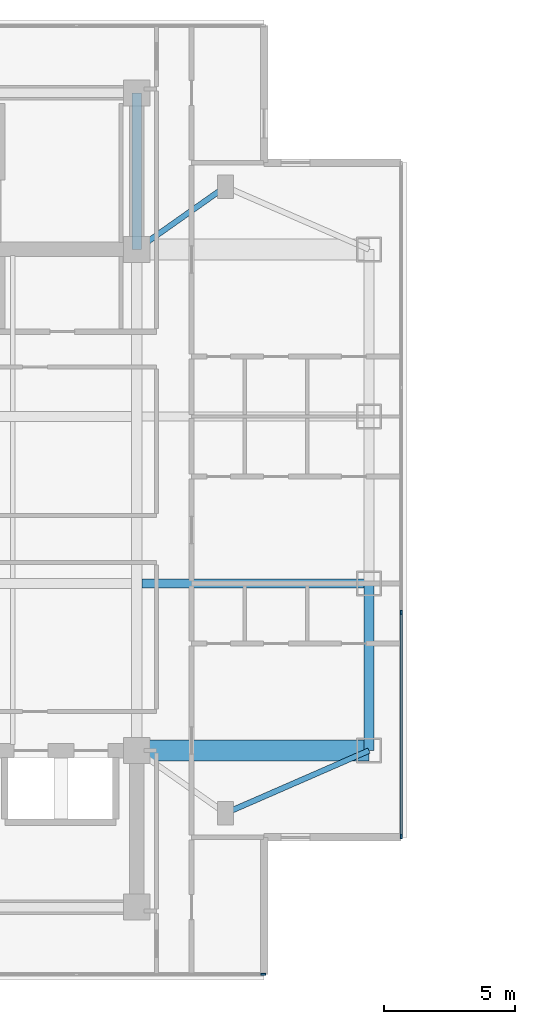
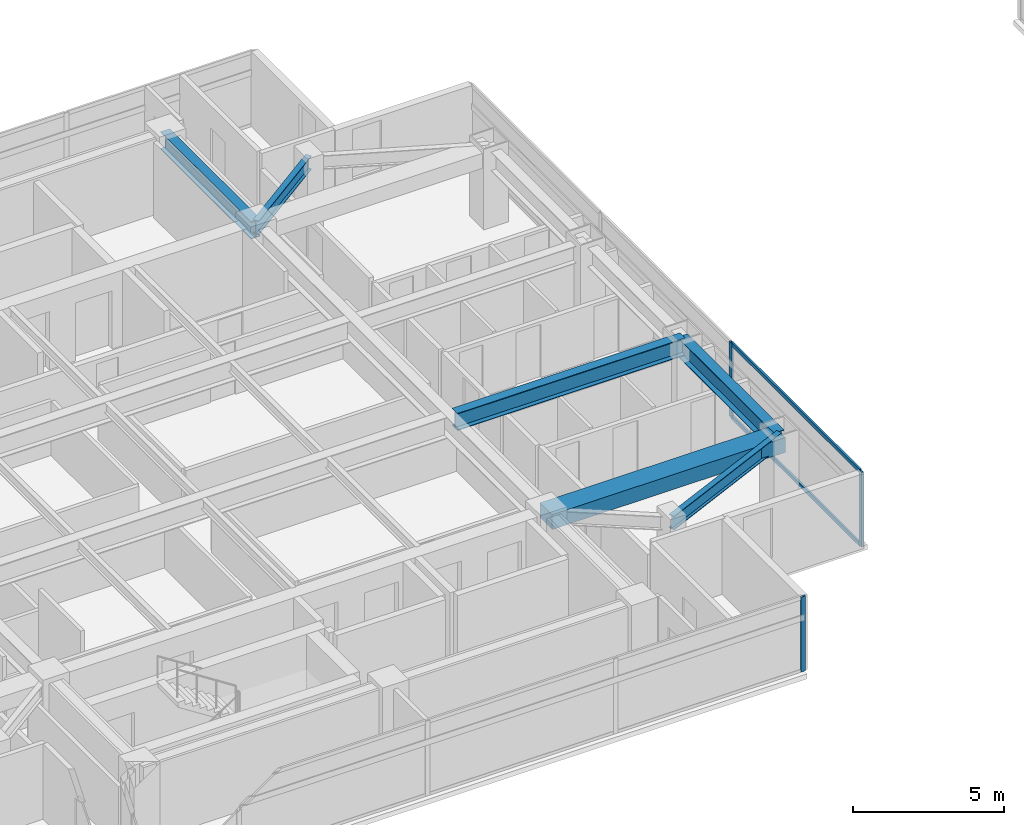
# One storey, part 4 of 24: 6 beams, 5 members, 2 elements without a shape of their own.
"""IFC4 building model written with IfcOpenShell, lengths in metres."""

import ifcopenshell
import ifcopenshell.guid

model = None  # the IFC model being written
_history = None  # IfcOwnerHistory: only IFC2X3 demands one
_inside = {}  # id of a spatial element -> (the spatial element, [elements in it])
_under = {}  # id of a project, library or spatial element -> (it, [spatial elements below it])
_declared = {}  # id of a project -> (the project, [libraries it declares])
_typed = {}  # id of a type object -> (the type object, [elements of that type])
_made_of = {}  # id of a material, layer set ... -> (it, [elements and type objects made of it])


def new_model(schema):
    """Start an empty IFC model of exactly this schema.

    Asked for "IFC4X3", IfcOpenShell would pick the latest addendum, in which some entities
    have other attributes; the version numbers below select the first issue.
    IFC2X3 requires an IfcOwnerHistory on every rooted entity: one is made here for all.
    """
    global model, _history
    if schema == "IFC4X3":
        model = ifcopenshell.file(schema_version=(4, 3, 0, 0))
    else:
        model = ifcopenshell.file(schema=schema)
    _inside.clear()
    _under.clear()
    _declared.clear()
    _typed.clear()
    _made_of.clear()
    _history = None
    if model.schema == "IFC2X3":
        org = make("IfcOrganization", Name="unknown")
        user = make(
            "IfcPersonAndOrganization",
            ThePerson=make("IfcPerson", FamilyName="unknown"),
            TheOrganization=org,
        )
        app = make(
            "IfcApplication",
            ApplicationDeveloper=org,
            Version="unknown",
            ApplicationFullName="unknown",
            ApplicationIdentifier="unknown",
        )
        _history = make(
            "IfcOwnerHistory",
            OwningUser=user,
            OwningApplication=app,
            ChangeAction="ADDED",
            CreationDate=0,
        )
    return model


def make(cls, **values):
    """One entity of the class cls with the attributes given. An attribute that is None is left unset."""
    return model.create_entity(
        cls, **{name: value for name, value in values.items() if value is not None}
    )


def rooted(cls, **values):
    """An entity with a GlobalId (a new one), such as an element, a storey or a relation."""
    return make(cls, GlobalId=ifcopenshell.guid.new(), OwnerHistory=_history, **values)


def si_unit(unit_type, name, prefix=None):
    """IfcSIUnit, for example si_unit("LENGTHUNIT", "METRE", prefix="MILLI")."""
    return make("IfcSIUnit", UnitType=unit_type, Prefix=prefix, Name=name)


def assignment(units):
    """IfcUnitAssignment: the units of a project."""
    return None if units is None else make("IfcUnitAssignment", Units=units)


def point(xyz):
    """IfcCartesianPoint."""
    return None if xyz is None else make("IfcCartesianPoint", Coordinates=xyz)


def direction(xyz):
    """IfcDirection."""
    return None if xyz is None else make("IfcDirection", DirectionRatios=xyz)


def frame(location, z_axis=None, x_axis=None):
    """IfcAxis2Placement3D, a coordinate frame: its origin and axes. An axis left out is left unset."""
    return make(
        "IfcAxis2Placement3D",
        Location=point(location),
        Axis=direction(z_axis),
        RefDirection=direction(x_axis),
    )


def frame_2d(location, x_axis=None):
    """IfcAxis2Placement2D, a coordinate frame in the plane: its origin and x axis."""
    return make(
        "IfcAxis2Placement2D", Location=point(location), RefDirection=direction(x_axis)
    )


def origin():
    """The frame at (0, 0, 0) with its axes left unset."""
    return frame((0.0, 0.0, 0.0))


def origin_2d():
    """The frame at (0, 0) in the plane with its x axis left unset."""
    return frame_2d((0.0, 0.0))


def place(relative_to, where):
    """IfcLocalPlacement: puts the frame where relative to a parent placement (None: the world)."""
    return make(
        "IfcLocalPlacement", PlacementRelTo=relative_to, RelativePlacement=where
    )


def context(
    kind, dimensions, precision=None, world=None, true_north=None, identifier=None
):
    """IfcGeometricRepresentationContext, for example the 3D "Model" context."""
    return make(
        "IfcGeometricRepresentationContext",
        ContextIdentifier=identifier,
        ContextType=kind,
        CoordinateSpaceDimension=dimensions,
        Precision=precision,
        WorldCoordinateSystem=world,
        TrueNorth=true_north,
    )


def subcontext(parent, identifier, kind, view, scale=None):
    """IfcGeometricRepresentationSubContext, for example "Body" below "Model"."""
    return make(
        "IfcGeometricRepresentationSubContext",
        ContextIdentifier=identifier,
        ContextType=kind,
        ParentContext=parent,
        TargetScale=scale,
        TargetView=view,
    )


def project(units=None, contexts=None):
    """IfcProject with its units and contexts."""
    return rooted(
        "IfcProject",
        Name="project",
        RepresentationContexts=contexts,
        UnitsInContext=assignment(units),
    )


def spatial(cls, under=None, at=None, **own):
    """A site, building, storey or space (cls), placed at a placement, below another one or the project."""
    s = rooted(cls, ObjectPlacement=at, **own)
    if under is not None:
        _under.setdefault(under.id(), (under, []))[1].append(s)
    return s


def profile(cls, at=None, kind="AREA", **sizes):
    """A parametric profile (cls). Its sizes go by their IFC names, for example OverallWidth=200.0."""
    return make(cls, ProfileType=kind, Position=at, **sizes)


def rectangle(**sizes):
    """IfcRectangleProfileDef."""
    return profile("IfcRectangleProfileDef", **sizes)


def i_section(**sizes):
    """IfcIShapeProfileDef."""
    return profile("IfcIShapeProfileDef", **sizes)


def extrude(swept, where, along, depth):
    """IfcExtrudedAreaSolid: the profile swept, set in the frame where, extruded along a direction by depth."""
    return make(
        "IfcExtrudedAreaSolid",
        SweptArea=swept,
        Position=where,
        ExtrudedDirection=direction(along),
        Depth=depth,
    )


def shape(context_of_items, identifier, shape_type, items):
    """IfcShapeRepresentation: the items that make up one representation, for example the "Body"."""
    return make(
        "IfcShapeRepresentation",
        ContextOfItems=context_of_items,
        RepresentationIdentifier=identifier,
        RepresentationType=shape_type,
        Items=items,
    )


def material(Name=None, Category=None):
    """IfcMaterial."""
    return make("IfcMaterial", Name=Name, Category=Category)


def material_profile(
    of_material, cross_section, Name=None, Category=None, Priority=None
):
    """IfcMaterialProfile: a cross section and its material."""
    return make(
        "IfcMaterialProfile",
        Name=Name,
        Material=of_material,
        Profile=cross_section,
        Priority=Priority,
        Category=Category,
    )


def profile_set(profiles, Name=None, composite=None):
    """IfcMaterialProfileSet."""
    return make(
        "IfcMaterialProfileSet",
        Name=Name,
        MaterialProfiles=profiles,
        CompositeProfile=composite,
    )


def made_of(thing, what):
    """Note that an element or type object is made of a material, layer set ...; save() writes the relation."""
    if what is not None:
        _made_of.setdefault(what.id(), (what, []))[1].append(thing)
    return thing


def type_object(cls, material=None, **own):
    """A type object (cls), such as IfcWallType, which elements share."""
    return made_of(rooted(cls, **own), material)


def element(
    cls,
    number,
    at=None,
    inside=None,
    cuts=None,
    type_object=None,
    material=None,
    context=None,
    identifier="Body",
    shape_type=None,
    held_by="IfcProductDefinitionShape",
    body=None,
    shapes=None,
    **own,
):
    """One element of the class cls, such as IfcWall. Its Tag is "e" and its number.

    at: its placement. inside: the storey or other place that contains it. cuts: it is an
    opening in that element (IfcRelVoidsElement). A single representation is given by context,
    identifier, shape_type and body (its items); several are given by shapes. held_by: the class
    of the entity that holds the representations. save() writes the other relations.
    """
    e = rooted(cls, Tag="e%d" % number, ObjectPlacement=at, **own)
    if body is not None:
        shapes = [shape(context, identifier, shape_type, body)]
    if shapes is not None:
        e.Representation = make(held_by, Representations=shapes)
    if inside is not None:
        _inside.setdefault(inside.id(), (inside, []))[1].append(e)
    if cuts is not None:
        rooted(
            "IfcRelVoidsElement", RelatingBuildingElement=cuts, RelatedOpeningElement=e
        )
    if type_object is not None:
        _typed.setdefault(type_object.id(), (type_object, []))[1].append(e)
    return made_of(e, material)


def aggregate(whole, parts):
    """IfcRelAggregates: a whole, such as a stair, and the parts it consists of."""
    return rooted("IfcRelAggregates", RelatingObject=whole, RelatedObjects=parts)


def save(model, path):
    """Write the relations noted so far, then the file.

    IfcRelAggregates (storeys below a building ...), IfcRelContainedInSpatialStructure (elements
    in a storey), IfcRelDefinesByType, IfcRelAssociatesMaterial and IfcRelDeclares: one each for
    every whole, place, type object, material and project.
    """
    for whole, parts in _under.values():
        aggregate(whole, parts)
    for where, things in _inside.values():
        rooted(
            "IfcRelContainedInSpatialStructure",
            RelatedElements=things,
            RelatingStructure=where,
        )
    for kind, things in _typed.values():
        rooted("IfcRelDefinesByType", RelatedObjects=things, RelatingType=kind)
    for what, things in _made_of.values():
        rooted("IfcRelAssociatesMaterial", RelatedObjects=things, RelatingMaterial=what)
    for by, libraries in _declared.values():
        rooted("IfcRelDeclares", RelatingContext=by, RelatedDefinitions=libraries)
    model.write(path)


model = new_model("IFC4")

# Units and contexts
model_context = context("Model", 3, precision=1e-05, world=origin(), true_north=direction((0.0, 1.0)))
body_context = subcontext(model_context, "Body", "Model", "MODEL_VIEW")
ifc_project = project(units=[si_unit("LENGTHUNIT", "METRE"), si_unit("AREAUNIT", "SQUARE_METRE"), si_unit("VOLUMEUNIT", "CUBIC_METRE"), si_unit("PLANEANGLEUNIT", "RADIAN"), si_unit("MASSUNIT", "GRAM", prefix="KILO")], contexts=[model_context])

# Site, building, storey
site_placement = place(None, origin())
site = spatial("IfcSite", under=ifc_project, at=site_placement, CompositionType="ELEMENT")
building_placement = place(site_placement, origin())
building = spatial("IfcBuilding", under=site, at=building_placement, Name="Mirazonda Arch Towers", CompositionType="ELEMENT")
storey_placement = place(building_placement, frame((0.0, 0.0, 154.39990234375)))
storey = spatial("IfcBuildingStorey", under=building, at=storey_placement, Name="L43", CompositionType="ELEMENT", Elevation=154.39990234375)

# Beams
ifc_material_1 = material(Name="Steel ASTM A992 Grade 50", Category="steel")
ifc_material_profile_1 = material_profile(ifc_material_1, i_section(OverallWidth=0.381103515625, OverallDepth=0.77294921875, WebThickness=0.0166015625, FlangeThickness=0.027099609375, at=origin_2d()), Name="W30X173")
ifc_profile_set_1 = profile_set([ifc_material_profile_1], Name="Steel ASTM A992 Grade 50")
beam_type_1 = type_object("IfcBeamType", Name="BM-EXT-W30X173", PredefinedType="USERDEFINED", material=ifc_profile_set_1)
beam_1_placement = place(storey_placement, frame((38.89990234375, 18.39990234375, 2.66357421875), z_axis=(0.0, 1.0, 0.0), x_axis=(-1.0, 0.0, 0.0)))
element("IfcBeam", 1, at=beam_1_placement, inside=storey, type_object=beam_type_1, Name="L43 Floor Beam BM-T1-L43-NS-E-18", ObjectType="GIRDER", PredefinedType="USERDEFINED", context=body_context, shape_type="SweptSolid", body=[
    extrude(i_section(OverallWidth=0.381103515625, OverallDepth=0.77294921875, WebThickness=0.0166015625, FlangeThickness=0.027099609375, at=origin_2d()), origin(), (0.0, 0.0, 1.0), 6.400146484375),
])
ifc_material_profile_2 = material_profile(ifc_material_1, i_section(OverallWidth=0.214111328125, OverallDepth=0.549072265625, WebThickness=0.0146484375, FlangeThickness=0.023681640625, at=origin_2d()), Name="W21X93")
ifc_profile_set_2 = profile_set([ifc_material_profile_2], Name="Steel ASTM A992 Grade 50")
beam_type_2 = type_object("IfcBeamType", Name="BM-INT-W21X93", PredefinedType="BEAM", material=ifc_profile_set_2)
beam_2_placement = place(storey_placement, frame((33.39990234375, 16.0, 2.775634765625), z_axis=(0.916545343703, 0.399930785183, 0.0), x_axis=(-0.399930785183, 0.916545343703, 0.0)))
element("IfcBeam", 2, at=beam_2_placement, inside=storey, type_object=beam_type_2, Name="L43 Floor Beam BM-T1-L43-PL-SE2", PredefinedType="BEAM", context=body_context, shape_type="SweptSolid", body=[
    extrude(i_section(OverallWidth=0.214111328125, OverallDepth=0.549072265625, WebThickness=0.0146484375, FlangeThickness=0.023681640625, at=origin_2d()), origin(), (0.0, 0.0, 1.0), 6.000732421875),
])
beam_3_placement = place(storey_placement, frame((33.39990234375, 40.0, 2.775634765625), z_axis=(-0.816971114901, -0.576678591087, 0.0), x_axis=(0.576678591087, -0.816971114901, 0.0)))
element("IfcBeam", 3, at=beam_3_placement, inside=storey, type_object=beam_type_2, Name="L43 Floor Beam BM-T1-L43-PL-NE1", PredefinedType="BEAM", context=body_context, shape_type="SweptSolid", body=[
    extrude(i_section(OverallWidth=0.214111328125, OverallDepth=0.549072265625, WebThickness=0.0146484375, FlangeThickness=0.023681640625, at=origin_2d()), origin(), (0.0, 0.0, 1.0), 4.16162109375),
])
ifc_material_profile_3 = material_profile(ifc_material_1, i_section(OverallWidth=0.35498046875, OverallDepth=0.696044921875, WebThickness=0.015380859375, FlangeThickness=0.02490234375, at=origin_2d()), Name="W27X146")
ifc_profile_set_3 = profile_set([ifc_material_profile_3], Name="Steel ASTM A992 Grade 50")
beam_type_3 = type_object("IfcBeamType", Name="BM-INT-W27X146", PredefinedType="BEAM", material=ifc_profile_set_3)
beam_4_placement = place(storey_placement, frame((30.199951171875, 24.800048828125, 2.7021484375), z_axis=(1.0, 0.0, 0.0), x_axis=(0.0, 1.0, 0.0)))
element("IfcBeam", 4, at=beam_4_placement, inside=storey, type_object=beam_type_3, Name="L43 Floor Beam BM-T1-L43-GE2", PredefinedType="BEAM", context=body_context, shape_type="SweptSolid", body=[
    extrude(i_section(OverallWidth=0.35498046875, OverallDepth=0.696044921875, WebThickness=0.015380859375, FlangeThickness=0.02490234375, at=origin_2d()), origin(), (0.0, 0.0, 1.0), 8.699951171875),
])
beam_5_placement = place(storey_placement, frame((30.0, 37.60009765625, 2.7021484375), z_axis=(0.0, 1.0, 0.0), x_axis=(-1.0, 0.0, 0.0)))
element("IfcBeam", 5, at=beam_5_placement, inside=storey, type_object=beam_type_3, Name="L43 Floor Beam BM-T1-L43-CNE", PredefinedType="BEAM", context=body_context, shape_type="SweptSolid", body=[
    extrude(i_section(OverallWidth=0.35498046875, OverallDepth=0.696044921875, WebThickness=0.015380859375, FlangeThickness=0.02490234375, at=origin_2d()), origin(), (0.0, 0.0, 1.0), 6.0),
])
ifc_material_2 = material(Name="Concrete C60/75", Category="concrete")
ifc_material_profile_4 = material_profile(ifc_material_2, rectangle(XDim=0.800048828125, YDim=0.60009765625, at=origin_2d()), Name="RCCB800x600")
ifc_profile_set_4 = profile_set([ifc_material_profile_4], Name="Concrete C60/75")
beam_type_4 = type_object("IfcBeamType", Name="CB-INT-RCCB800x600", PredefinedType="SPANDREL", material=ifc_profile_set_4)
beam_6_placement = place(storey_placement, frame((30.0, 18.39990234375, 2.75), z_axis=(1.0, 0.0, 0.0), x_axis=(0.0, 1.0, 0.0)))
element("IfcBeam", 6, at=beam_6_placement, inside=storey, type_object=beam_type_4, Name="L43 Floor Beam CBC-T1-L43-SE", PredefinedType="SPANDREL", context=body_context, shape_type="SweptSolid", body=[
    extrude(rectangle(XDim=0.800048828125, YDim=0.60009765625, at=origin_2d()), origin(), (0.0, 0.0, 1.0), 8.89990234375),
])

# Curtain wall, member
ifc_material_3 = material(Name="Anodised Aluminium and Low-E Glass", Category="aluminium")
curtain_wall_type = type_object("IfcCurtainWallType", Name="CW-RES-UNIT", PredefinedType="NOTDEFINED", material=ifc_material_3)
curtain_wall_1_placement = place(storey_placement, origin())
curtain_wall_1 = element("IfcCurtainWall", 7, at=curtain_wall_1_placement, inside=storey, type_object=curtain_wall_type, Name="L43 T1 S Facade CW-L43-T1-S", PredefinedType="NOTDEFINED")
ifc_material_4 = material(Name="Anodised Aluminium Alloy", Category="aluminium")
ifc_material_profile_5 = material_profile(ifc_material_4, rectangle(XDim=0.074951171875, YDim=0.175048828125, at=origin_2d()), Name="ALU-MULL-75x175")
ifc_profile_set_5 = profile_set([ifc_material_profile_5], Name="Anodised Aluminium Alloy")
member_type_1 = type_object("IfcMemberType", Name="MULL-CW-RES-UNIT", PredefinedType="MULLION", material=ifc_profile_set_5)
member_1_placement = place(storey_placement, frame((34.847412109375, 9.830078125, 0.0), z_axis=(0.0, 0.0, 1.0), x_axis=(0.0, -1.0, 0.0)))
member_1 = element("IfcMember", 8, at=member_1_placement, type_object=member_type_1, Name="CW-104 mullion 1", PredefinedType="MULLION", context=body_context, shape_type="SweptSolid", body=[
    extrude(rectangle(XDim=0.074951171875, YDim=0.175048828125, at=origin_2d()), origin(), (0.0, 0.0, 1.0), 3.030029296875),
])
aggregate(curtain_wall_1, [member_1])

# Curtain wall, members
curtain_wall_2_placement = place(storey_placement, origin())
curtain_wall_2 = element("IfcCurtainWall", 9, at=curtain_wall_2_placement, inside=storey, type_object=curtain_wall_type, Name="L43 T1 E Facade CW-L43-T1-E", PredefinedType="NOTDEFINED")
member_2_placement = place(storey_placement, frame((40.1298828125, 15.112548828125, 0.0), z_axis=(0.0, 0.0, 1.0), x_axis=(-1.0, 0.0, 0.0)))
member_2 = element("IfcMember", 10, at=member_2_placement, type_object=member_type_1, Name="CW-104 mullion 1", PredefinedType="MULLION", context=body_context, shape_type="SweptSolid", body=[
    extrude(rectangle(XDim=0.074951171875, YDim=0.175048828125, at=origin_2d()), origin(), (0.0, 0.0, 1.0), 3.030029296875),
])
member_3_placement = place(storey_placement, frame((40.1298828125, 23.691650390625, 0.0), z_axis=(0.0, 0.0, 1.0), x_axis=(-1.0, 0.0, 0.0)))
member_3 = element("IfcMember", 11, at=member_3_placement, type_object=member_type_1, Name="CW-104 mullion 2", PredefinedType="MULLION", context=body_context, shape_type="SweptSolid", body=[
    extrude(rectangle(XDim=0.074951171875, YDim=0.175048828125, at=origin_2d()), origin(), (0.0, 0.0, 1.0), 3.030029296875),
])
ifc_material_profile_6 = material_profile(ifc_material_4, rectangle(XDim=0.074951171875, YDim=0.155029296875, at=origin_2d()), Name="ALU-TRAN-75x155")
ifc_profile_set_6 = profile_set([ifc_material_profile_6], Name="Anodised Aluminium Alloy")
member_type_2 = type_object("IfcMemberType", Name="TRAN-CW-RES-UNIT", PredefinedType="USERDEFINED", material=ifc_profile_set_6)
member_4_placement = place(storey_placement, frame((40.1298828125, 15.14990234375, 0.03759765625), z_axis=(0.0, 1.0, 0.0), x_axis=(-1.0, 0.0, 0.0)))
member_4 = element("IfcMember", 12, at=member_4_placement, type_object=member_type_2, Name="CW-104 transom 1.1", ObjectType="TRANSOM", PredefinedType="USERDEFINED", context=body_context, shape_type="SweptSolid", body=[
    extrude(rectangle(XDim=0.074951171875, YDim=0.155029296875, at=origin_2d()), origin(), (0.0, 0.0, 1.0), 8.504150390625),
])
member_5_placement = place(storey_placement, frame((40.1298828125, 15.14990234375, 2.99267578125), z_axis=(0.0, 1.0, 0.0), x_axis=(-1.0, 0.0, 0.0)))
member_5 = element("IfcMember", 13, at=member_5_placement, type_object=member_type_2, Name="CW-104 transom 1.2", ObjectType="TRANSOM", PredefinedType="USERDEFINED", context=body_context, shape_type="SweptSolid", body=[
    extrude(rectangle(XDim=0.074951171875, YDim=0.155029296875, at=origin_2d()), origin(), (0.0, 0.0, 1.0), 8.504150390625),
])
aggregate(curtain_wall_2, [member_2, member_3, member_4, member_5])

save(model, "model.ifc")
